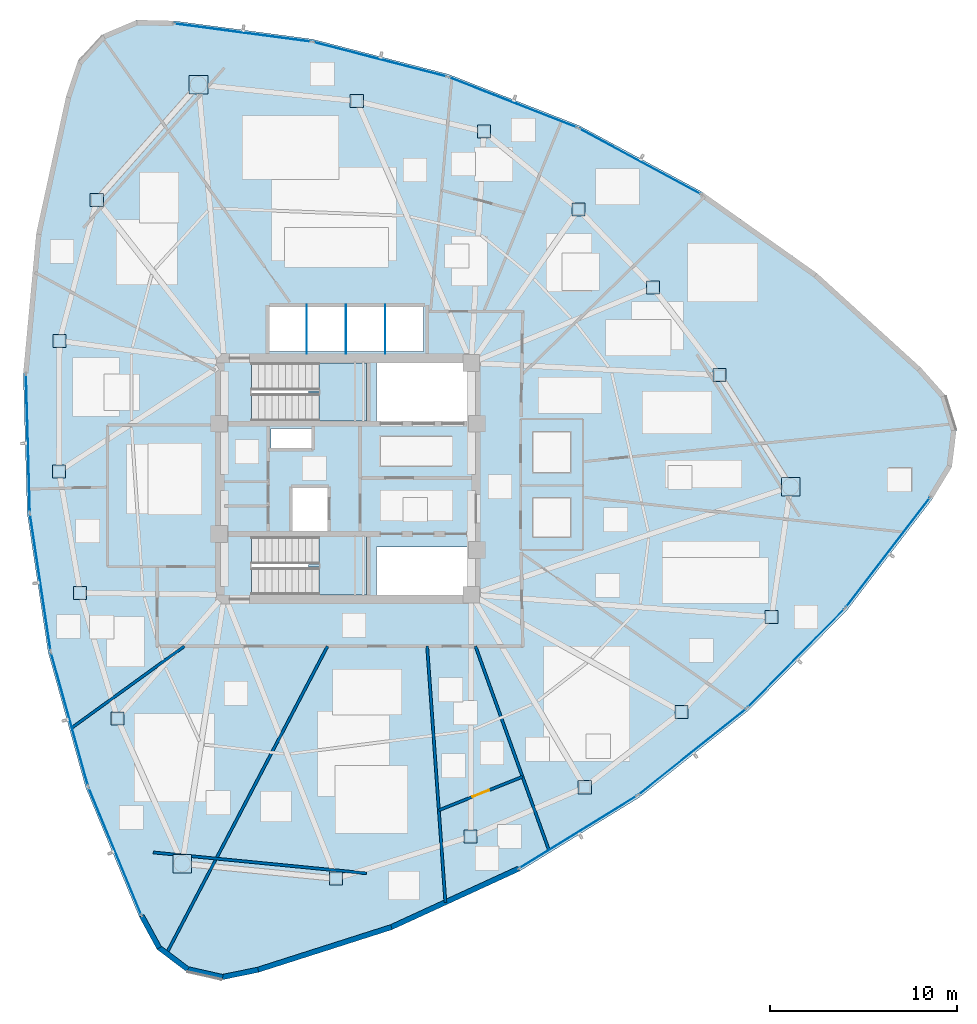
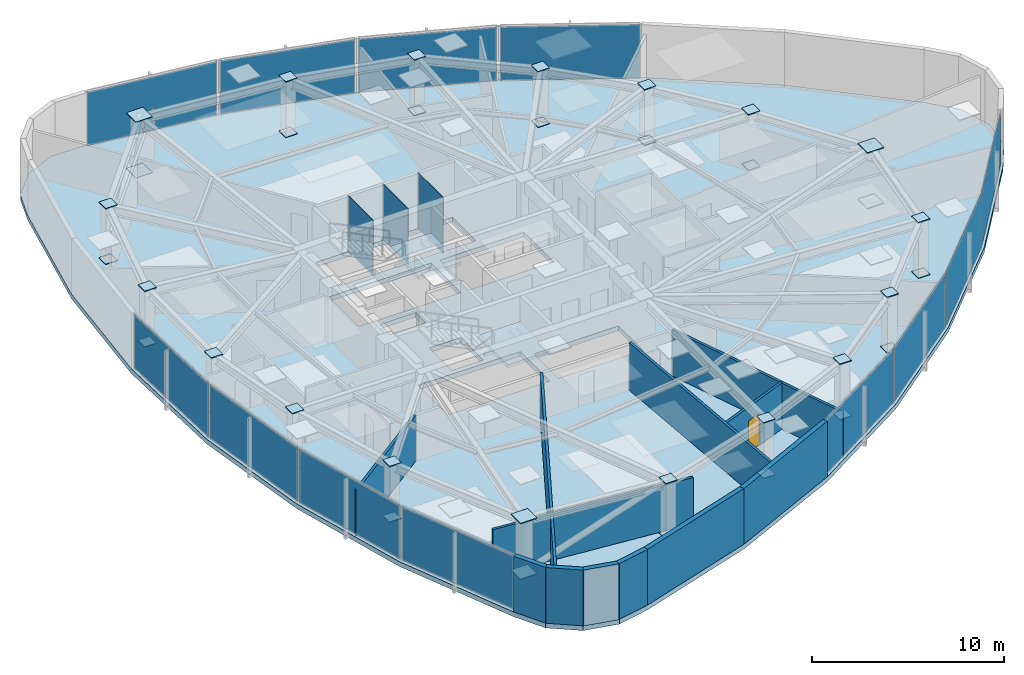
# One storey, part 11 of 18: 51 plates, 12 walls, 3 slabs, 1 door, 1 opening, 14 elements without a shape of their own.
"""IFC4 building model written with IfcOpenShell, lengths in metres."""

import ifcopenshell
import ifcopenshell.guid

model = None  # the IFC model being written
_history = None  # IfcOwnerHistory: only IFC2X3 demands one
_inside = {}  # id of a spatial element -> (the spatial element, [elements in it])
_under = {}  # id of a project, library or spatial element -> (it, [spatial elements below it])
_declared = {}  # id of a project -> (the project, [libraries it declares])
_typed = {}  # id of a type object -> (the type object, [elements of that type])
_made_of = {}  # id of a material, layer set ... -> (it, [elements and type objects made of it])


def new_model(schema):
    """Start an empty IFC model of exactly this schema.

    Asked for "IFC4X3", IfcOpenShell would pick the latest addendum, in which some entities
    have other attributes; the version numbers below select the first issue.
    IFC2X3 requires an IfcOwnerHistory on every rooted entity: one is made here for all.
    """
    global model, _history
    if schema == "IFC4X3":
        model = ifcopenshell.file(schema_version=(4, 3, 0, 0))
    else:
        model = ifcopenshell.file(schema=schema)
    _inside.clear()
    _under.clear()
    _declared.clear()
    _typed.clear()
    _made_of.clear()
    _history = None
    if model.schema == "IFC2X3":
        org = make("IfcOrganization", Name="unknown")
        user = make(
            "IfcPersonAndOrganization",
            ThePerson=make("IfcPerson", FamilyName="unknown"),
            TheOrganization=org,
        )
        app = make(
            "IfcApplication",
            ApplicationDeveloper=org,
            Version="unknown",
            ApplicationFullName="unknown",
            ApplicationIdentifier="unknown",
        )
        _history = make(
            "IfcOwnerHistory",
            OwningUser=user,
            OwningApplication=app,
            ChangeAction="ADDED",
            CreationDate=0,
        )
    return model


def make(cls, **values):
    """One entity of the class cls with the attributes given. An attribute that is None is left unset."""
    return model.create_entity(
        cls, **{name: value for name, value in values.items() if value is not None}
    )


def rooted(cls, **values):
    """An entity with a GlobalId (a new one), such as an element, a storey or a relation."""
    return make(cls, GlobalId=ifcopenshell.guid.new(), OwnerHistory=_history, **values)


def si_unit(unit_type, name, prefix=None):
    """IfcSIUnit, for example si_unit("LENGTHUNIT", "METRE", prefix="MILLI")."""
    return make("IfcSIUnit", UnitType=unit_type, Prefix=prefix, Name=name)


def assignment(units):
    """IfcUnitAssignment: the units of a project."""
    return None if units is None else make("IfcUnitAssignment", Units=units)


def point(xyz):
    """IfcCartesianPoint."""
    return None if xyz is None else make("IfcCartesianPoint", Coordinates=xyz)


def direction(xyz):
    """IfcDirection."""
    return None if xyz is None else make("IfcDirection", DirectionRatios=xyz)


def frame(location, z_axis=None, x_axis=None):
    """IfcAxis2Placement3D, a coordinate frame: its origin and axes. An axis left out is left unset."""
    return make(
        "IfcAxis2Placement3D",
        Location=point(location),
        Axis=direction(z_axis),
        RefDirection=direction(x_axis),
    )


def frame_2d(location, x_axis=None):
    """IfcAxis2Placement2D, a coordinate frame in the plane: its origin and x axis."""
    return make(
        "IfcAxis2Placement2D", Location=point(location), RefDirection=direction(x_axis)
    )


def origin():
    """The frame at (0, 0, 0) with its axes left unset."""
    return frame((0.0, 0.0, 0.0))


def origin_2d():
    """The frame at (0, 0) in the plane with its x axis left unset."""
    return frame_2d((0.0, 0.0))


def place(relative_to, where):
    """IfcLocalPlacement: puts the frame where relative to a parent placement (None: the world)."""
    return make(
        "IfcLocalPlacement", PlacementRelTo=relative_to, RelativePlacement=where
    )


def context(
    kind, dimensions, precision=None, world=None, true_north=None, identifier=None
):
    """IfcGeometricRepresentationContext, for example the 3D "Model" context."""
    return make(
        "IfcGeometricRepresentationContext",
        ContextIdentifier=identifier,
        ContextType=kind,
        CoordinateSpaceDimension=dimensions,
        Precision=precision,
        WorldCoordinateSystem=world,
        TrueNorth=true_north,
    )


def subcontext(parent, identifier, kind, view, scale=None):
    """IfcGeometricRepresentationSubContext, for example "Body" below "Model"."""
    return make(
        "IfcGeometricRepresentationSubContext",
        ContextIdentifier=identifier,
        ContextType=kind,
        ParentContext=parent,
        TargetScale=scale,
        TargetView=view,
    )


def project(units=None, contexts=None):
    """IfcProject with its units and contexts."""
    return rooted(
        "IfcProject",
        Name="project",
        RepresentationContexts=contexts,
        UnitsInContext=assignment(units),
    )


def spatial(cls, under=None, at=None, **own):
    """A site, building, storey or space (cls), placed at a placement, below another one or the project."""
    s = rooted(cls, ObjectPlacement=at, **own)
    if under is not None:
        _under.setdefault(under.id(), (under, []))[1].append(s)
    return s


def polyline(points):
    """IfcPolyline through the points."""
    return make("IfcPolyline", Points=[point(p) for p in points])


def profile(cls, at=None, kind="AREA", **sizes):
    """A parametric profile (cls). Its sizes go by their IFC names, for example OverallWidth=200.0."""
    return make(cls, ProfileType=kind, Position=at, **sizes)


def rectangle(**sizes):
    """IfcRectangleProfileDef."""
    return profile("IfcRectangleProfileDef", **sizes)


def outline(outer, holes=None, kind="AREA"):
    """IfcArbitraryClosedProfileDef: a profile drawn as a closed curve; with holes, ...WithVoids."""
    if holes is None:
        return make("IfcArbitraryClosedProfileDef", ProfileType=kind, OuterCurve=outer)
    return make(
        "IfcArbitraryProfileDefWithVoids",
        ProfileType=kind,
        OuterCurve=outer,
        InnerCurves=holes,
    )


def extrude(swept, where, along, depth):
    """IfcExtrudedAreaSolid: the profile swept, set in the frame where, extruded along a direction by depth."""
    return make(
        "IfcExtrudedAreaSolid",
        SweptArea=swept,
        Position=where,
        ExtrudedDirection=direction(along),
        Depth=depth,
    )


def shape(context_of_items, identifier, shape_type, items):
    """IfcShapeRepresentation: the items that make up one representation, for example the "Body"."""
    return make(
        "IfcShapeRepresentation",
        ContextOfItems=context_of_items,
        RepresentationIdentifier=identifier,
        RepresentationType=shape_type,
        Items=items,
    )


def source(mapping_origin, context_of_items, identifier, shape_type, items):
    """IfcRepresentationMap: a shape defined once, which mapped items show again and again."""
    return make(
        "IfcRepresentationMap",
        MappingOrigin=mapping_origin,
        MappedRepresentation=shape(context_of_items, identifier, shape_type, items),
    )


def transform(
    local_origin,
    x_axis=None,
    y_axis=None,
    z_axis=None,
    scale=None,
    scale2=None,
    scale3=None,
    uniform=True,
):
    """IfcCartesianTransformationOperator3D, or its non-uniform kind. x_axis, y_axis, z_axis: its Axis1, 2, 3."""
    if uniform:
        return make(
            "IfcCartesianTransformationOperator3D",
            Axis1=direction(x_axis),
            Axis2=direction(y_axis),
            LocalOrigin=point(local_origin),
            Scale=scale,
            Axis3=direction(z_axis),
        )
    return make(
        "IfcCartesianTransformationOperator3DnonUniform",
        Axis1=direction(x_axis),
        Axis2=direction(y_axis),
        LocalOrigin=point(local_origin),
        Scale=scale,
        Axis3=direction(z_axis),
        Scale2=scale2,
        Scale3=scale3,
    )


def mapped(mapping_source, mapping_target):
    """IfcMappedItem: shows the shape of a source again, moved by a transform."""
    return make(
        "IfcMappedItem", MappingSource=mapping_source, MappingTarget=mapping_target
    )


def material(Name=None, Category=None):
    """IfcMaterial."""
    return make("IfcMaterial", Name=Name, Category=Category)


def layer(
    of_material, thickness, ventilated=None, Name=None, Category=None, Priority=None
):
    """IfcMaterialLayer: one layer of a wall or slab, of a material (None: an air gap)."""
    return make(
        "IfcMaterialLayer",
        Material=of_material,
        LayerThickness=thickness,
        IsVentilated=ventilated,
        Name=Name,
        Category=Category,
        Priority=Priority,
    )


def layer_set(layers, Name=None):
    """IfcMaterialLayerSet."""
    return make("IfcMaterialLayerSet", MaterialLayers=layers, LayerSetName=Name)


def made_of(thing, what):
    """Note that an element or type object is made of a material, layer set ...; save() writes the relation."""
    if what is not None:
        _made_of.setdefault(what.id(), (what, []))[1].append(thing)
    return thing


def type_object(cls, material=None, **own):
    """A type object (cls), such as IfcWallType, which elements share."""
    return made_of(rooted(cls, **own), material)


def type_shapes(of_type, sources):
    """Give a type object the sources (RepresentationMaps) that its elements show as mapped items."""
    of_type.RepresentationMaps = sources


def element(
    cls,
    number,
    at=None,
    inside=None,
    cuts=None,
    type_object=None,
    material=None,
    context=None,
    identifier="Body",
    shape_type=None,
    held_by="IfcProductDefinitionShape",
    body=None,
    shapes=None,
    **own,
):
    """One element of the class cls, such as IfcWall. Its Tag is "e" and its number.

    at: its placement. inside: the storey or other place that contains it. cuts: it is an
    opening in that element (IfcRelVoidsElement). A single representation is given by context,
    identifier, shape_type and body (its items); several are given by shapes. held_by: the class
    of the entity that holds the representations. save() writes the other relations.
    """
    e = rooted(cls, Tag="e%d" % number, ObjectPlacement=at, **own)
    if body is not None:
        shapes = [shape(context, identifier, shape_type, body)]
    if shapes is not None:
        e.Representation = make(held_by, Representations=shapes)
    if inside is not None:
        _inside.setdefault(inside.id(), (inside, []))[1].append(e)
    if cuts is not None:
        rooted(
            "IfcRelVoidsElement", RelatingBuildingElement=cuts, RelatedOpeningElement=e
        )
    if type_object is not None:
        _typed.setdefault(type_object.id(), (type_object, []))[1].append(e)
    return made_of(e, material)


def fill(opening, filler):
    """IfcRelFillsElement: the door or window that sits in an opening."""
    return rooted(
        "IfcRelFillsElement",
        RelatingOpeningElement=opening,
        RelatedBuildingElement=filler,
    )


def aggregate(whole, parts):
    """IfcRelAggregates: a whole, such as a stair, and the parts it consists of."""
    return rooted("IfcRelAggregates", RelatingObject=whole, RelatedObjects=parts)


def save(model, path):
    """Write the relations noted so far, then the file.

    IfcRelAggregates (storeys below a building ...), IfcRelContainedInSpatialStructure (elements
    in a storey), IfcRelDefinesByType, IfcRelAssociatesMaterial and IfcRelDeclares: one each for
    every whole, place, type object, material and project.
    """
    for whole, parts in _under.values():
        aggregate(whole, parts)
    for where, things in _inside.values():
        rooted(
            "IfcRelContainedInSpatialStructure",
            RelatedElements=things,
            RelatingStructure=where,
        )
    for kind, things in _typed.values():
        rooted("IfcRelDefinesByType", RelatedObjects=things, RelatingType=kind)
    for what, things in _made_of.values():
        rooted("IfcRelAssociatesMaterial", RelatedObjects=things, RelatingMaterial=what)
    for by, libraries in _declared.values():
        rooted("IfcRelDeclares", RelatingContext=by, RelatedDefinitions=libraries)
    model.write(path)


model = new_model("IFC4")

# Units and contexts
model_context = context("Model", 3, precision=1e-05, world=origin(), true_north=direction((0.0, 1.0)))
body_context = subcontext(model_context, "Body", "Model", "MODEL_VIEW")
ifc_project = project(units=[si_unit("LENGTHUNIT", "METRE"), si_unit("AREAUNIT", "SQUARE_METRE"), si_unit("VOLUMEUNIT", "CUBIC_METRE"), si_unit("PLANEANGLEUNIT", "RADIAN"), si_unit("MASSUNIT", "GRAM", prefix="KILO")], contexts=[model_context])

# Site, building, storey
site_placement = place(None, origin())
site = spatial("IfcSite", under=ifc_project, at=site_placement, CompositionType="ELEMENT")
building_placement = place(site_placement, origin())
building = spatial("IfcBuilding", under=site, at=building_placement, Name="Tavelor Broadcast Tower", CompositionType="ELEMENT")
storey_placement = place(building_placement, frame((0.0, 0.0, 181.050048828125)))
storey = spatial("IfcBuildingStorey", under=building, at=storey_placement, Name="L43", CompositionType="ELEMENT", Elevation=181.050048828125)

# Stair, slab
ifc_material_1 = material(Name="Concrete C40/50", Category="concrete")
stair_type = type_object("IfcStairType", Name="Reinforced Concrete Protected Dogleg Stair 1450 mm", PredefinedType="HALF_TURN_STAIR", material=ifc_material_1)
stair_1_placement = place(storey_placement, origin())
stair_1 = element("IfcStair", 1, at=stair_1_placement, inside=storey, type_object=stair_type, Name="L43 Protected Core Exit Stair ST1", PredefinedType="HALF_TURN_STAIR")
ifc_layer_1 = layer(ifc_material_1, 0.199951171875)
ifc_layer_set_1 = layer_set([ifc_layer_1], Name="Concrete C40/50")
slab_type_1 = type_object("IfcSlabType", Name="Reinforced Concrete Stair Half-Landing Slab 200 mm", PredefinedType="LANDING", material=ifc_layer_set_1)
slab_1_placement = place(storey_placement, frame((0.0, 0.0, 1.724853515625)))
slab_1 = element("IfcSlab", 2, at=slab_1_placement, type_object=slab_type_1, Name="ST1 landing 1", PredefinedType="LANDING", context=body_context, shape_type="SweptSolid", body=[
    extrude(outline(polyline([(48.445068359375, 49.590087890625), (48.445068359375, 48.094970703125), (51.0048828125, 48.094970703125), (51.0048828125, 51.205078125), (48.445068359375, 51.205078125), (48.445068359375, 49.7099609375), (47.905029296875, 49.7099609375), (47.905029296875, 49.590087890625), (48.445068359375, 49.590087890625)])), origin(), (0.0, 0.0, 1.0), 0.2001953125),
])
aggregate(stair_1, [slab_1])

stair_2_placement = place(storey_placement, origin())
stair_2 = element("IfcStair", 3, at=stair_2_placement, inside=storey, type_object=stair_type, Name="L43 Protected Core Exit Stair ST2", PredefinedType="HALF_TURN_STAIR")
slab_2_placement = place(storey_placement, frame((0.0, 0.0, 1.724853515625)))
slab_2 = element("IfcSlab", 4, at=slab_2_placement, type_object=slab_type_1, Name="ST2 landing 1", PredefinedType="LANDING", context=body_context, shape_type="SweptSolid", body=[
    extrude(outline(polyline([(48.445068359375, 40.2900390625), (48.445068359375, 38.794921875), (51.0048828125, 38.794921875), (51.0048828125, 41.905029296875), (48.445068359375, 41.905029296875), (48.445068359375, 40.409912109375), (47.905029296875, 40.409912109375), (47.905029296875, 40.2900390625), (48.445068359375, 40.2900390625)])), origin(), (0.0, 0.0, 1.0), 0.2001953125),
])
aggregate(stair_2, [slab_2])

# Slab
ifc_layer_2 = layer(ifc_material_1, 0.300048828125)
ifc_layer_set_2 = layer_set([ifc_layer_2], Name="Concrete C40/50")
slab_type_2 = type_object("IfcSlabType", Name="Tower Composite Floor Slab 300 mm", PredefinedType="FLOOR", material=ifc_layer_set_2)
slab_3_placement = place(storey_placement, frame((0.0, 0.0, -0.300048828125)))
element("IfcSlab", 5, at=slab_3_placement, inside=storey, type_object=slab_type_2, Name="L43 Structural Floor Slab", PredefinedType="FLOOR", context=body_context, shape_type="SweptSolid", body=[
    extrude(outline(polyline([(40.6787109375, 69.4951171875), (38.707763671875, 69.54150390625), (36.892333984375, 68.772705078125), (35.553955078125, 67.324951171875), (34.929931640625, 65.45458984375), (33.33447265625, 58.12158203125), (32.6376953125, 50.649658203125), (32.8505859375, 43.148193359375), (33.969482421875, 35.7275390625), (35.978271484375, 28.496826171875), (38.847412109375, 21.5625), (39.79248046875, 19.832275390625), (41.3662109375, 18.644287109375), (43.2890625, 18.209228515625), (45.220703125, 18.60400390625), (52.368896484375, 20.888671875), (59.1884765625, 24.021484375), (65.578369140625, 27.956298828125), (71.4453125, 32.6357421875), (76.702880859375, 37.99072265625), (81.273681640625, 43.942626953125), (82.299560546875, 45.626220703125), (82.54150390625, 47.5830078125), (81.956787109375, 49.4658203125), (80.649169921875, 50.94140625), (75.0966796875, 55.98974609375), (68.973876953125, 60.3291015625), (62.37109375, 63.8955078125), (55.385009765625, 66.63671875), (48.11865234375, 68.512451171875), (40.6787109375, 69.4951171875)]), holes=[polyline([(56.60009765625, 41.35009765625), (56.60009765625, 38.800048828125), (51.52001953125, 38.800048828125), (51.52001953125, 41.35009765625), (56.60009765625, 41.35009765625)]), polyline([(50.99609375, 38.803955078125), (44.85400390625, 38.803955078125), (44.85400390625, 41.89599609375), (50.99609375, 41.89599609375), (50.99609375, 38.803955078125)]), polyline([(47.050048828125, 42.199951171875), (47.050048828125, 44.550048828125), (48.949951171875, 44.550048828125), (48.949951171875, 42.199951171875), (47.050048828125, 42.199951171875)]), polyline([(48.050048828125, 46.64990234375), (45.89990234375, 46.64990234375), (45.89990234375, 47.699951171875), (48.050048828125, 47.699951171875), (48.050048828125, 46.64990234375)]), polyline([(50.99609375, 48.10400390625), (44.85400390625, 48.10400390625), (44.85400390625, 51.196044921875), (50.99609375, 51.196044921875), (50.99609375, 48.10400390625)]), polyline([(56.60009765625, 48.10009765625), (51.52001953125, 48.10009765625), (51.52001953125, 51.199951171875), (56.60009765625, 51.199951171875), (56.60009765625, 48.10009765625)]), polyline([(54.050048828125, 51.800048828125), (45.800048828125, 51.800048828125), (45.800048828125, 54.25), (54.050048828125, 54.25), (54.050048828125, 51.800048828125)])]), origin(), (0.0, 0.0, 1.0), 0.300048828125),
])

# Plates
ifc_material_2 = material(Name="Steel S460", Category="steel")
ifc_layer_3 = layer(ifc_material_2, 0.050048828125)
ifc_layer_set_3 = layer_set([ifc_layer_3], Name="Steel S460")
plate_type_1 = type_object("IfcPlateType", Name="Tube Hollow-End Cap Plate KN05 700x700x50", PredefinedType="USERDEFINED", material=ifc_layer_set_3)
shared_shape_1 = source(origin(), body_context, "Body", "SweptSolid", [
    extrude(rectangle(XDim=0.699951171875, YDim=0.699951171875, at=origin_2d()), origin(), (0.0, 0.0, 1.0), 0.054931640625),
])
for number, where, z_axis, x_axis, name in (
    (6, (36.567626953125, 59.91064453125, -0.02734375), (0.0, 0.0, 1.0), (1.0, 0.0, 0.0), "L43 Hollow End Cap Plate KN05 #1217"),
    (7, (36.567626953125, 59.91064453125, 3.5224609375), (0.0, 0.0, 1.0), (1.0, 0.0, 0.0), "L43 Hollow End Cap Plate KN05 #1218"),
    (8, (34.5751953125, 52.37939453125, -0.02734375), (0.0, 0.0, 1.0), (1.0, 0.0, 0.0), "L43 Hollow End Cap Plate KN05 #1219"),
    (9, (34.5751953125, 52.37939453125, 3.5224609375), (0.0, 0.0, 1.0), (1.0, 0.0, 0.0), "L43 Hollow End Cap Plate KN05 #1220"),
    (10, (34.54638671875, 45.399169921875, -0.02734375), (0.0, 0.0, 1.0), (1.0, 0.0, 0.0), "L43 Hollow End Cap Plate KN05 #1221"),
    (11, (34.54638671875, 45.399169921875, 3.5224609375), (0.0, 0.0, 1.0), (1.0, 0.0, 0.0), "L43 Hollow End Cap Plate KN05 #1222"),
    (12, (35.680908203125, 38.89990234375, -0.02734375), (0.0, 0.0, 1.0), (1.0, 0.0, 0.0), "L43 Hollow End Cap Plate KN05 #1223"),
    (13, (35.680908203125, 38.89990234375, 3.5224609375), (0.0, 0.0, 1.0), (1.0, 0.0, 0.0), "L43 Hollow End Cap Plate KN05 #1224"),
    (14, (37.668212890625, 32.1904296875, -0.02734375), (0.0, 0.0, 1.0), (1.0, 0.0, 0.0), "L43 Hollow End Cap Plate KN05 #1225"),
    (15, (37.668212890625, 32.1904296875, 3.5224609375), (0.0, 0.0, 1.0), (1.0, 0.0, 0.0), "L43 Hollow End Cap Plate KN05 #1226"),
    (16, (49.366455078125, 23.618896484375, -0.02734375), (0.0, 0.0, 1.0), (1.0, 0.0, 0.0), "L43 Hollow End Cap Plate KN05 #1229"),
    (17, (49.366455078125, 23.618896484375, 3.5224609375), (0.0, 0.0, 1.0), (1.0, 0.0, 0.0), "L43 Hollow End Cap Plate KN05 #1230"),
    (18, (56.56103515625, 25.872802734375, -0.02734375), (0.0, 0.0, 1.0), (1.0, 0.0, 0.0), "L43 Hollow End Cap Plate KN05 #1231"),
    (19, (56.56103515625, 25.872802734375, 3.5224609375), (0.0, 0.0, 1.0), (1.0, 0.0, 0.0), "L43 Hollow End Cap Plate KN05 #1232"),
    (20, (62.669189453125, 28.503173828125, -0.02734375), (0.0, 0.0, 1.0), (1.0, 0.0, 0.0), "L43 Hollow End Cap Plate KN05 #1233"),
    (21, (62.669189453125, 28.503173828125, 3.5224609375), (0.0, 0.0, 1.0), (1.0, 0.0, 0.0), "L43 Hollow End Cap Plate KN05 #1234"),
    (22, (67.84228515625, 32.53173828125, -0.02734375), (0.0, 0.0, 1.0), (1.0, 0.0, 0.0), "L43 Hollow End Cap Plate KN05 #1235"),
    (23, (67.84228515625, 32.53173828125, 3.5224609375), (0.0, 0.0, 1.0), (1.0, 0.0, 0.0), "L43 Hollow End Cap Plate KN05 #1236"),
    (24, (72.6591796875, 37.607421875, -0.02734375), (0.0, 0.0, 1.0), (1.0, 0.0, 0.0), "L43 Hollow End Cap Plate KN05 #1237"),
    (25, (72.6591796875, 37.607421875, 3.5224609375), (0.0, 0.0, 1.0), (1.0, 0.0, 0.0), "L43 Hollow End Cap Plate KN05 #1238"),
    (26, (69.885986328125, 50.544189453125, -0.02734375), (0.0, 0.0, 1.0), (1.0, 0.0, 0.0), "L43 Hollow End Cap Plate KN05 #1241"),
    (27, (69.885986328125, 50.544189453125, 3.5224609375), (0.0, 0.0, 1.0), (1.0, 0.0, 0.0), "L43 Hollow End Cap Plate KN05 #1242"),
    (28, (66.322021484375, 55.228759765625, -0.02734375), (0.0, 0.0, 1.0), (1.0, 0.0, 0.0), "L43 Hollow End Cap Plate KN05 #1243"),
    (29, (66.322021484375, 55.228759765625, 3.5224609375), (0.0, 0.0, 1.0), (1.0, 0.0, 0.0), "L43 Hollow End Cap Plate KN05 #1244"),
    (30, (62.330810546875, 59.416259765625, -0.02734375), (0.0, 0.0, 1.0), (1.0, 0.0, 0.0), "L43 Hollow End Cap Plate KN05 #1245"),
    (31, (62.330810546875, 59.416259765625, 3.5224609375), (0.0, 0.0, 1.0), (1.0, 0.0, 0.0), "L43 Hollow End Cap Plate KN05 #1246"),
    (32, (57.276611328125, 63.568359375, -0.02734375), (0.0, 0.0, 1.0), (1.0, 0.0, 0.0), "L43 Hollow End Cap Plate KN05 #1247"),
    (33, (57.276611328125, 63.568359375, 3.5224609375), (0.0, 0.0, 1.0), (1.0, 0.0, 0.0), "L43 Hollow End Cap Plate KN05 #1248"),
    (34, (50.472412109375, 65.2021484375, -0.02734375), (0.0, 0.0, 1.0), (1.0, 0.0, 0.0), "L43 Hollow End Cap Plate KN05 #1249"),
    (35, (50.472412109375, 65.2021484375, 3.5224609375), (0.0, 0.0, 1.0), (1.0, 0.0, 0.0), "L43 Hollow End Cap Plate KN05 #1250"),
):
    element("IfcPlate", number, at=place(storey_placement, frame(where, z_axis=z_axis, x_axis=x_axis)), inside=storey, type_object=plate_type_1, Name=name, ObjectType="CAP PLATE", PredefinedType="USERDEFINED", context=body_context, shape_type="MappedRepresentation", body=[
        mapped(shared_shape_1, transform((0.0, 0.0, 0.0), scale=1.0)),
    ])
shared_shape_2 = source(origin(), body_context, "Body", "SweptSolid", [
    extrude(rectangle(XDim=0.993896484375, YDim=0.993896484375, at=origin_2d()), origin(), (0.0, 0.0, 1.0), 0.054931640625),
])
type_shapes(plate_type_1, [shared_shape_1, shared_shape_2])
for number, where, z_axis, x_axis, name in (
    (36, (42.01123046875, 66.080078125, -0.02734375), (0.0, 0.0, 1.0), (1.0, 0.0, 0.0), "L43 Hollow End Cap Plate KN05 #1215"),
    (37, (42.01123046875, 66.080078125, 3.5224609375), (0.0, 0.0, 1.0), (1.0, 0.0, 0.0), "L43 Hollow End Cap Plate KN05 #1216"),
    (38, (41.138671875, 24.423828125, -0.02734375), (0.0, 0.0, 1.0), (1.0, 0.0, 0.0), "L43 Hollow End Cap Plate KN05 #1227"),
    (39, (41.138671875, 24.423828125, 3.5224609375), (0.0, 0.0, 1.0), (1.0, 0.0, 0.0), "L43 Hollow End Cap Plate KN05 #1228"),
    (40, (73.676025390625, 44.57958984375, -0.02734375), (0.0, 0.0, 1.0), (1.0, 0.0, 0.0), "L43 Hollow End Cap Plate KN05 #1239"),
    (41, (73.676025390625, 44.57958984375, 3.5224609375), (0.0, 0.0, 1.0), (1.0, 0.0, 0.0), "L43 Hollow End Cap Plate KN05 #1240"),
):
    element("IfcPlate", number, at=place(storey_placement, frame(where, z_axis=z_axis, x_axis=x_axis)), inside=storey, type_object=plate_type_1, Name=name, ObjectType="CAP PLATE", PredefinedType="USERDEFINED", context=body_context, shape_type="MappedRepresentation", body=[
        mapped(shared_shape_2, transform((0.0, 0.0, 0.0), scale=1.0)),
    ])
ifc_material_3 = material(Name="Steel S355", Category="steel")
ifc_layer_4 = layer(ifc_material_3, 0.011962890625)
ifc_layer_set_4 = layer_set([ifc_layer_4], Name="Steel S355")
plate_type_2 = type_object("IfcPlateType", Name="Hoistway Steel Separator Screen 12 mm", PredefinedType="SHEET", material=ifc_layer_set_4)
shared_shape_3 = source(origin(), body_context, "Body", "SweptSolid", [
    extrude(rectangle(XDim=0.02001953125, YDim=2.6201171875, at=origin_2d()), origin(), (0.0, 0.0, 1.0), 3.550048828125),
])
type_shapes(plate_type_2, [shared_shape_3])
for number, where, z_axis, x_axis, name in (
    (42, (47.800048828125, 52.989990234375, 0.0), (0.0, 0.0, 1.0), (1.0, 0.0, 0.0), "L43 High-Rise Hoistway Separator Screen 1"),
    (43, (49.89990234375, 52.989990234375, 0.0), (0.0, 0.0, 1.0), (1.0, 0.0, 0.0), "L43 High-Rise Hoistway Separator Screen 2"),
    (44, (52.0, 52.989990234375, 0.0), (0.0, 0.0, 1.0), (1.0, 0.0, 0.0), "L43 High-Rise Hoistway Separator Screen 3"),
):
    element("IfcPlate", number, at=place(storey_placement, frame(where, z_axis=z_axis, x_axis=x_axis)), inside=storey, type_object=plate_type_2, Name=name, PredefinedType="SHEET", context=body_context, shape_type="MappedRepresentation", body=[
        mapped(shared_shape_3, transform((0.0, 0.0, 0.0), scale=1.0)),
    ])

# Curtain wall, plate
ifc_material_4 = material(Name="Architectural Anodized Aluminium", Category="aluminium")
ifc_layer_5 = layer(ifc_material_4, 0.18994140625)
ifc_layer_set_5 = layer_set([ifc_layer_5], Name="Architectural Anodized Aluminium")
curtain_wall_type = type_object("IfcCurtainWallType", Name="Tower Mid-Zone Acoustic Curtain Wall CW03", PredefinedType="NOTDEFINED", material=ifc_layer_set_5)
curtain_wall_1_placement = place(storey_placement, origin())
curtain_wall_1 = element("IfcCurtainWall", 45, at=curtain_wall_1_placement, inside=storey, type_object=curtain_wall_type, Name="L43 Curtain Wall CW03 Run 457", PredefinedType="NOTDEFINED")
ifc_material_5 = material(Name="Solar Control Double Glazing 30 mm", Category="glass")
ifc_layer_6 = layer(ifc_material_5, 0.030029296875)
ifc_layer_set_6 = layer_set([ifc_layer_6], Name="Solar Control Double Glazing 30 mm")
plate_type_3 = type_object("IfcPlateType", Name="CW03 Insulated Vision Glazing Panel 30 mm", PredefinedType="CURTAIN_PANEL", material=ifc_layer_set_6)
shared_shape_4 = source(origin(), body_context, "Body", "SweptSolid", [
    extrude(rectangle(XDim=7.33642578125, YDim=0.030029296875, at=origin_2d()), origin(), (0.0, 0.0, 1.0), 3.4140625),
])
plate_1_placement = place(storey_placement, frame((32.884033203125, 46.910400390625, 0.06787109375), z_axis=(0.0, 0.0, 1.0), x_axis=(0.028357670277, -0.999597840402, 0.0)))
plate_1 = element("IfcPlate", 46, at=plate_1_placement, type_object=plate_type_3, Name="CW03 panel 1.1", PredefinedType="CURTAIN_PANEL", context=body_context, shape_type="MappedRepresentation", body=[
    mapped(shared_shape_4, transform((0.0, 0.0, 0.0), scale=1.0)),
])
aggregate(curtain_wall_1, [plate_1])

curtain_wall_2_placement = place(storey_placement, origin())
curtain_wall_2 = element("IfcCurtainWall", 47, at=curtain_wall_2_placement, inside=storey, type_object=curtain_wall_type, Name="L43 Curtain Wall CW03 Run 461", PredefinedType="NOTDEFINED")
plate_2_placement = place(storey_placement, frame((62.3037109375, 26.104248046875, 0.06787109375), z_axis=(0.0, 0.0, 1.0), x_axis=(0.851501134669, 0.524352760704, 0.0)))
plate_2 = element("IfcPlate", 48, at=plate_2_placement, type_object=plate_type_3, Name="CW03 panel 1.1", PredefinedType="CURTAIN_PANEL", context=body_context, shape_type="MappedRepresentation", body=[
    mapped(shared_shape_4, transform((0.0, 0.0, 0.0), scale=1.0)),
])
aggregate(curtain_wall_2, [plate_2])

curtain_wall_3_placement = place(storey_placement, origin())
curtain_wall_3 = element("IfcCurtainWall", 49, at=curtain_wall_3_placement, inside=storey, type_object=curtain_wall_type, Name="L43 Curtain Wall CW03 Run 465", PredefinedType="NOTDEFINED")
plate_3_placement = place(storey_placement, frame((65.612548828125, 61.985595703125, 0.06787109375), z_axis=(0.0, 0.0, 1.0), x_axis=(-0.879857164016, 0.475238225451, 0.0)))
plate_3 = element("IfcPlate", 50, at=plate_3_placement, type_object=plate_type_3, Name="CW03 panel 1.1", PredefinedType="CURTAIN_PANEL", context=body_context, shape_type="MappedRepresentation", body=[
    mapped(shared_shape_4, transform((0.0, 0.0, 0.0), scale=1.0)),
])
aggregate(curtain_wall_3, [plate_3])

curtain_wall_4_placement = place(storey_placement, origin())
curtain_wall_4 = element("IfcCurtainWall", 51, at=curtain_wall_4_placement, inside=storey, type_object=curtain_wall_type, Name="L43 Curtain Wall CW03 Run 458", PredefinedType="NOTDEFINED")
shared_shape_5 = source(origin(), body_context, "Body", "SweptSolid", [
    extrude(rectangle(XDim=7.321533203125, YDim=0.030029296875, at=origin_2d()), origin(), (0.0, 0.0, 1.0), 3.4140625),
])
plate_4_placement = place(storey_placement, frame((33.548583984375, 39.458740234375, 0.06787109375), z_axis=(0.0, 0.0, 1.0), x_axis=(0.149112184167, -0.988820285256, 0.0)))
plate_4 = element("IfcPlate", 52, at=plate_4_placement, type_object=plate_type_3, Name="CW03 panel 1.1", PredefinedType="CURTAIN_PANEL", context=body_context, shape_type="MappedRepresentation", body=[
    mapped(shared_shape_5, transform((0.0, 0.0, 0.0), scale=1.0)),
])
aggregate(curtain_wall_4, [plate_4])

curtain_wall_5_placement = place(storey_placement, origin())
curtain_wall_5 = element("IfcCurtainWall", 53, at=curtain_wall_5_placement, inside=storey, type_object=curtain_wall_type, Name="L43 Curtain Wall CW03 Run 459", PredefinedType="NOTDEFINED")
plate_5_placement = place(storey_placement, frame((35.10888671875, 32.149658203125, 0.06787109375), z_axis=(0.0, 0.0, 1.0), x_axis=(0.267663228459, -0.963512530345, 0.0)))
plate_5 = element("IfcPlate", 54, at=plate_5_placement, type_object=plate_type_3, Name="CW03 panel 1.1", PredefinedType="CURTAIN_PANEL", context=body_context, shape_type="MappedRepresentation", body=[
    mapped(shared_shape_5, transform((0.0, 0.0, 0.0), scale=1.0)),
])
aggregate(curtain_wall_5, [plate_5])

curtain_wall_6_placement = place(storey_placement, origin())
curtain_wall_6 = element("IfcCurtainWall", 55, at=curtain_wall_6_placement, inside=storey, type_object=curtain_wall_type, Name="L43 Curtain Wall CW03 Run 462", PredefinedType="NOTDEFINED")
plate_6_placement = place(storey_placement, frame((68.424560546875, 30.405517578125, 0.06787109375), z_axis=(0.0, 0.0, 1.0), x_axis=(0.781787643356, 0.623544770402, 0.0)))
plate_6 = element("IfcPlate", 56, at=plate_6_placement, type_object=plate_type_3, Name="CW03 panel 1.1", PredefinedType="CURTAIN_PANEL", context=body_context, shape_type="MappedRepresentation", body=[
    mapped(shared_shape_5, transform((0.0, 0.0, 0.0), scale=1.0)),
])
aggregate(curtain_wall_6, [plate_6])

curtain_wall_7_placement = place(storey_placement, origin())
curtain_wall_7 = element("IfcCurtainWall", 57, at=curtain_wall_7_placement, inside=storey, type_object=curtain_wall_type, Name="L43 Curtain Wall CW03 Run 466", PredefinedType="NOTDEFINED")
plate_7_placement = place(storey_placement, frame((58.826904296875, 65.1357421875, 0.06787109375), z_axis=(0.0, 0.0, 1.0), x_axis=(-0.930898917649, 0.365276888291, 0.0)))
plate_7 = element("IfcPlate", 58, at=plate_7_placement, type_object=plate_type_3, Name="CW03 panel 1.1", PredefinedType="CURTAIN_PANEL", context=body_context, shape_type="MappedRepresentation", body=[
    mapped(shared_shape_5, transform((0.0, 0.0, 0.0), scale=1.0)),
])
aggregate(curtain_wall_7, [plate_7])

curtain_wall_8_placement = place(storey_placement, origin())
curtain_wall_8 = element("IfcCurtainWall", 59, at=curtain_wall_8_placement, inside=storey, type_object=curtain_wall_type, Name="L43 Curtain Wall CW03 Run 467", PredefinedType="NOTDEFINED")
plate_8_placement = place(storey_placement, frame((51.716796875, 67.43896484375, 0.06787109375), z_axis=(0.0, 0.0, 1.0), x_axis=(-0.968258901274, 0.249949395084, 0.0)))
plate_8 = element("IfcPlate", 60, at=plate_8_placement, type_object=plate_type_3, Name="CW03 panel 1.1", PredefinedType="CURTAIN_PANEL", context=body_context, shape_type="MappedRepresentation", body=[
    mapped(shared_shape_5, transform((0.0, 0.0, 0.0), scale=1.0)),
])
aggregate(curtain_wall_8, [plate_8])

curtain_wall_9_placement = place(storey_placement, origin())
curtain_wall_9 = element("IfcCurtainWall", 61, at=curtain_wall_9_placement, inside=storey, type_object=curtain_wall_type, Name="L43 Curtain Wall CW03 Run 460", PredefinedType="NOTDEFINED")
shared_shape_6 = source(origin(), body_context, "Body", "SweptSolid", [
    extrude(rectangle(XDim=7.33740234375, YDim=0.030029296875, at=origin_2d()), origin(), (0.0, 0.0, 1.0), 3.4140625),
])
plate_9_placement = place(storey_placement, frame((37.545166015625, 25.075927734375, 0.06787109375), z_axis=(0.0, 0.0, 1.0), x_axis=(0.382302548165, -0.924037207945, 0.0)))
plate_9 = element("IfcPlate", 62, at=plate_9_placement, type_object=plate_type_3, Name="CW03 panel 1.1", PredefinedType="CURTAIN_PANEL", context=body_context, shape_type="MappedRepresentation", body=[
    mapped(shared_shape_6, transform((0.0, 0.0, 0.0), scale=1.0)),
])
aggregate(curtain_wall_9, [plate_9])

curtain_wall_10_placement = place(storey_placement, origin())
curtain_wall_10 = element("IfcCurtainWall", 63, at=curtain_wall_10_placement, inside=storey, type_object=curtain_wall_type, Name="L43 Curtain Wall CW03 Run 468", PredefinedType="NOTDEFINED")
plate_10_placement = place(storey_placement, frame((44.37255859375, 68.865966796875, 0.06787109375), z_axis=(0.0, 0.0, 1.0), x_axis=(-0.991391558773, 0.130930428828, 0.0)))
plate_10 = element("IfcPlate", 64, at=plate_10_placement, type_object=plate_type_3, Name="CW03 panel 1.1", PredefinedType="CURTAIN_PANEL", context=body_context, shape_type="MappedRepresentation", body=[
    mapped(shared_shape_6, transform((0.0, 0.0, 0.0), scale=1.0)),
])
aggregate(curtain_wall_10, [plate_10])

curtain_wall_11_placement = place(storey_placement, origin())
curtain_wall_11 = element("IfcCurtainWall", 65, at=curtain_wall_11_placement, inside=storey, type_object=curtain_wall_type, Name="L43 Curtain Wall CW03 Run 463", PredefinedType="NOTDEFINED")
shared_shape_7 = source(origin(), body_context, "Body", "SweptSolid", [
    extrude(rectangle(XDim=7.3212890625, YDim=0.030029296875, at=origin_2d()), origin(), (0.0, 0.0, 1.0), 3.4140625),
])
plate_11_placement = place(storey_placement, frame((73.974365234375, 35.411376953125, 0.06787109375), z_axis=(0.0, 0.0, 1.0), x_axis=(0.700586728141, 0.713567261268, 0.0)))
plate_11 = element("IfcPlate", 66, at=plate_11_placement, type_object=plate_type_3, Name="CW03 panel 1.1", PredefinedType="CURTAIN_PANEL", context=body_context, shape_type="MappedRepresentation", body=[
    mapped(shared_shape_7, transform((0.0, 0.0, 0.0), scale=1.0)),
])
aggregate(curtain_wall_11, [plate_11])

curtain_wall_12_placement = place(storey_placement, origin())
curtain_wall_12 = element("IfcCurtainWall", 67, at=curtain_wall_12_placement, inside=storey, type_object=curtain_wall_type, Name="L43 Curtain Wall CW03 Run 464", PredefinedType="NOTDEFINED")
shared_shape_8 = source(origin(), body_context, "Body", "SweptSolid", [
    extrude(rectangle(XDim=7.337646484375, YDim=0.030029296875, at=origin_2d()), origin(), (0.0, 0.0, 1.0), 3.4140625),
])
type_shapes(plate_type_3, [shared_shape_4, shared_shape_5, shared_shape_6, shared_shape_7, shared_shape_8])
plate_12_placement = place(storey_placement, frame((78.882080078125, 41.058349609375, 0.06787109375), z_axis=(0.0, 0.0, 1.0), x_axis=(0.609083324855, 0.793106237136, 0.0)))
plate_12 = element("IfcPlate", 68, at=plate_12_placement, type_object=plate_type_3, Name="CW03 panel 1.1", PredefinedType="CURTAIN_PANEL", context=body_context, shape_type="MappedRepresentation", body=[
    mapped(shared_shape_8, transform((0.0, 0.0, 0.0), scale=1.0)),
])
aggregate(curtain_wall_12, [plate_12])

# Walls
ifc_material_6 = material(Name="Precast Concrete C40/50", Category="concrete")
ifc_layer_7 = layer(ifc_material_6, 0.280029296875)
ifc_layer_set_7 = layer_set([ifc_layer_7], Name="Precast Concrete C40/50")
wall_type_1 = type_object("IfcWallType", Name="Insulated Precast Terracotta Facade Wall 280 mm", PredefinedType="STANDARD", material=ifc_layer_set_7)
wall_1_placement = place(storey_placement, frame((38.971923828125, 21.62646484375, 0.0), z_axis=(0.0, 0.0, 1.0), x_axis=(0.479421352547, -0.877584848731, 0.0)))
element("IfcWall", 69, at=wall_1_placement, inside=storey, type_object=wall_type_1, Name="L43 Rounded Corner Structural Cladding Pier 11", PredefinedType="STANDARD", context=body_context, shape_type="SweptSolid", body=[
    extrude(rectangle(XDim=1.952880859375, YDim=0.280029296875, at=frame_2d((0.9765625, 0.0))), origin(), (0.0, 0.0, 1.0), 3.550048828125),
])
wall_2_placement = place(storey_placement, frame((39.888916015625, 19.934814453125, 0.0), z_axis=(0.0, 0.0, 1.0), x_axis=(0.798200559606, -0.602391788327, 0.0)))
element("IfcWall", 70, at=wall_2_placement, inside=storey, type_object=wall_type_1, Name="L43 Rounded Corner Structural Cladding Pier 12", PredefinedType="STANDARD", context=body_context, shape_type="SweptSolid", body=[
    extrude(rectangle(XDim=1.94140625, YDim=0.280029296875, at=frame_2d((0.970703125, 0.0))), origin(), (0.0, 0.0, 1.0), 3.550048828125),
])
wall_3_placement = place(storey_placement, frame((41.411865234375, 18.777587890625, 0.0), z_axis=(0.0, 0.0, 1.0), x_axis=(0.975336292363, -0.2207240739, 0.0)))
element("IfcWall", 71, at=wall_3_placement, inside=storey, type_object=wall_type_1, Name="L43 Rounded Corner Structural Cladding Pier 13", PredefinedType="STANDARD", context=body_context, shape_type="SweptSolid", body=[
    extrude(rectangle(XDim=1.941162109375, YDim=0.280029296875, at=frame_2d((0.970703125, 0.0))), origin(), (0.0, 0.0, 1.0), 3.550048828125),
])
wall_4_placement = place(storey_placement, frame((43.27587890625, 18.349609375, 0.0), z_axis=(0.0, 0.0, 1.0), x_axis=(0.979764272978, 0.200154863532, 0.0)))
element("IfcWall", 72, at=wall_4_placement, inside=storey, type_object=wall_type_1, Name="L43 Rounded Corner Structural Cladding Pier 14", PredefinedType="STANDARD", context=body_context, shape_type="SweptSolid", body=[
    extrude(rectangle(XDim=1.9638671875, YDim=0.280029296875, at=frame_2d((0.98193359375, 0.0))), origin(), (0.0, 0.0, 1.0), 3.550048828125),
])
wall_5_placement = place(storey_placement, frame((45.1708984375, 18.735107421875, 0.0), z_axis=(0.0, 0.0, 1.0), x_axis=(0.952536062112, 0.304425771538, 0.0)))
element("IfcWall", 73, at=wall_5_placement, inside=storey, type_object=wall_type_1, Name="L43 Rounded Corner Structural Cladding Pier 15", PredefinedType="STANDARD", context=body_context, shape_type="SweptSolid", body=[
    extrude(rectangle(XDim=7.5185546875, YDim=0.280029296875, at=frame_2d((3.75927734375, 0.0))), origin(), (0.0, 0.0, 1.0), 3.550048828125),
])
wall_6_placement = place(storey_placement, frame((52.3046875, 21.01318359375, 0.0), z_axis=(0.0, 0.0, 1.0), x_axis=(0.908705187095, 0.417438478037, 0.0)))
element("IfcWall", 74, at=wall_6_placement, inside=storey, type_object=wall_type_1, Name="L43 Rounded Corner Structural Cladding Pier 16", PredefinedType="STANDARD", context=body_context, shape_type="SweptSolid", body=[
    extrude(rectangle(XDim=7.506591796875, YDim=0.280029296875, at=frame_2d((3.75341796875, 0.0))), origin(), (0.0, 0.0, 1.0), 3.550048828125),
])
ifc_material_7 = material(Name="Gypsum Acoustic Plasterboard 150 mm", Category="gypsum")
ifc_layer_8 = layer(ifc_material_7, 0.14990234375)
ifc_layer_set_8 = layer_set([ifc_layer_8], Name="Gypsum Acoustic Plasterboard 150 mm")
wall_type_2 = type_object("IfcWallType", Name="Interior Acoustic Partition Wall 150 mm", PredefinedType="PARTITIONING", material=ifc_layer_set_8)
wall_7_placement = place(storey_placement, frame((39.589111328125, 25.017578125, 0.0), z_axis=(0.0, 0.0, 1.0), x_axis=(0.99524905582, -0.097361783517, 0.0)))
element("IfcWall", 75, at=wall_7_placement, inside=storey, type_object=wall_type_2, Name="L43 Corner Tube Brace Furring Wall 2", PredefinedType="PARTITIONING", context=body_context, shape_type="SweptSolid", body=[
    extrude(rectangle(XDim=11.467041015625, YDim=0.14990234375, at=frame_2d((5.7333984375, 0.0))), origin(), (0.0, 0.0, 1.0), 2.93505859375),
])
wall_8_placement = place(storey_placement, frame((41.255615234375, 36.050048828125, 0.0), z_axis=(0.0, 0.0, 1.0), x_axis=(-0.809600312946, -0.58698154424, 0.0)))
element("IfcWall", 76, at=wall_8_placement, inside=storey, type_object=wall_type_2, Name="L43 Radial Compartment Wall 03", PredefinedType="PARTITIONING", context=body_context, shape_type="SweptSolid", body=[
    extrude(rectangle(XDim=7.4443359375, YDim=0.14990234375, at=frame_2d((3.72216796875, 0.0))), origin(), (0.0, 0.0, 1.0), 2.93505859375),
])
wall_9_placement = place(storey_placement, frame((48.9111328125, 36.050048828125, 0.0), z_axis=(0.0, 0.0, 1.0), x_axis=(-0.46405271373, -0.885807585698, 0.0)))
element("IfcWall", 77, at=wall_9_placement, inside=storey, type_object=wall_type_2, Name="L43 Radial Compartment Wall 04", PredefinedType="PARTITIONING", context=body_context, shape_type="SweptSolid", body=[
    extrude(rectangle(XDim=18.556884765625, YDim=0.14990234375, at=frame_2d((9.2783203125, 0.0))), origin(), (0.0, 0.0, 1.0), 2.93505859375),
])
wall_10_placement = place(storey_placement, frame((54.23828125, 36.050048828125, 0.0), z_axis=(0.0, 0.0, 1.0), x_axis=(0.071153642611, -0.99746536739, 0.0)))
element("IfcWall", 78, at=wall_10_placement, inside=storey, type_object=wall_type_2, Name="L43 Radial Compartment Wall 05", PredefinedType="PARTITIONING", context=body_context, shape_type="SweptSolid", body=[
    extrude(rectangle(XDim=13.745361328125, YDim=0.14990234375, at=frame_2d((6.87255859375, 0.0))), origin(), (0.0, 0.0, 1.0), 3.02490234375),
])
wall_11_placement = place(storey_placement, frame((56.82421875, 36.050048828125, 0.0), z_axis=(0.0, 0.0, 1.0), x_axis=(0.338922218584, -0.940814397078, 0.0)))
element("IfcWall", 79, at=wall_11_placement, inside=storey, type_object=wall_type_2, Name="L43 Radial Compartment Wall 06", PredefinedType="PARTITIONING", context=body_context, shape_type="SweptSolid", body=[
    extrude(rectangle(XDim=11.59765625, YDim=0.14990234375, at=frame_2d((5.798828125, 0.0))), origin(), (0.0, 0.0, 1.0), 2.93505859375),
])

# Wall, opening, door
wall_12_placement = place(storey_placement, frame((54.8642578125, 27.275390625, 0.0), z_axis=(0.0, 0.0, 1.0), x_axis=(0.92839284843, 0.371600213919, 0.0)))
wall_12 = element("IfcWall", 80, at=wall_12_placement, inside=storey, type_object=wall_type_2, Name="L43 Suite Chord Partition Wall 01", PredefinedType="PARTITIONING", context=body_context, shape_type="SweptSolid", body=[
    extrude(rectangle(XDim=4.821044921875, YDim=0.14990234375, at=frame_2d((2.41064453125, 0.0))), origin(), (0.0, 0.0, 1.0), 2.93505859375),
])
opening_placement = place(wall_12_placement, frame((1.935546875, 0.0, 0.0)))
opening = element("IfcOpeningElement", 81, at=opening_placement, cuts=wall_12, Name="Opening DR23", PredefinedType="OPENING", context=body_context, shape_type="SweptSolid", body=[
    extrude(rectangle(XDim=0.949951171875, YDim=2.050048828125, at=frame_2d((0.47509765625, 1.02490234375))), frame((0.0, 0.0849609375, 0.0), z_axis=(0.0, -1.0, 0.0), x_axis=(1.0, 0.0, 0.0)), (0.0, 0.0, 1.0), 0.169921875),
])
ifc_material_8 = material(Name="Timber Solid Core Hardwood", Category="wood")
door_type = type_object("IfcDoorType", Name="Editorial Room Acoustic Door 950x2050", OperationType="NOTDEFINED", PredefinedType="DOOR", material=ifc_material_8)
door_placement = place(opening_placement, origin())
door = element("IfcDoor", 82, at=door_placement, inside=storey, type_object=door_type, Name="L43 Outer Suite Partition Door 1", OperationType="SINGLE_SWING_RIGHT", OverallHeight=2.050048828125, OverallWidth=0.949951171875, PredefinedType="DOOR", context=body_context, shape_type="SweptSolid", body=[
    extrude(rectangle(XDim=0.949951171875, YDim=2.050048828125, at=frame_2d((0.47509765625, 1.02490234375))), frame((0.0, 0.02490234375, 0.0), z_axis=(0.0, -1.0, 0.0), x_axis=(1.0, 0.0, 0.0)), (0.0, 0.0, 1.0), 0.050048828125),
])
fill(opening, door)

save(model, "model.ifc")
